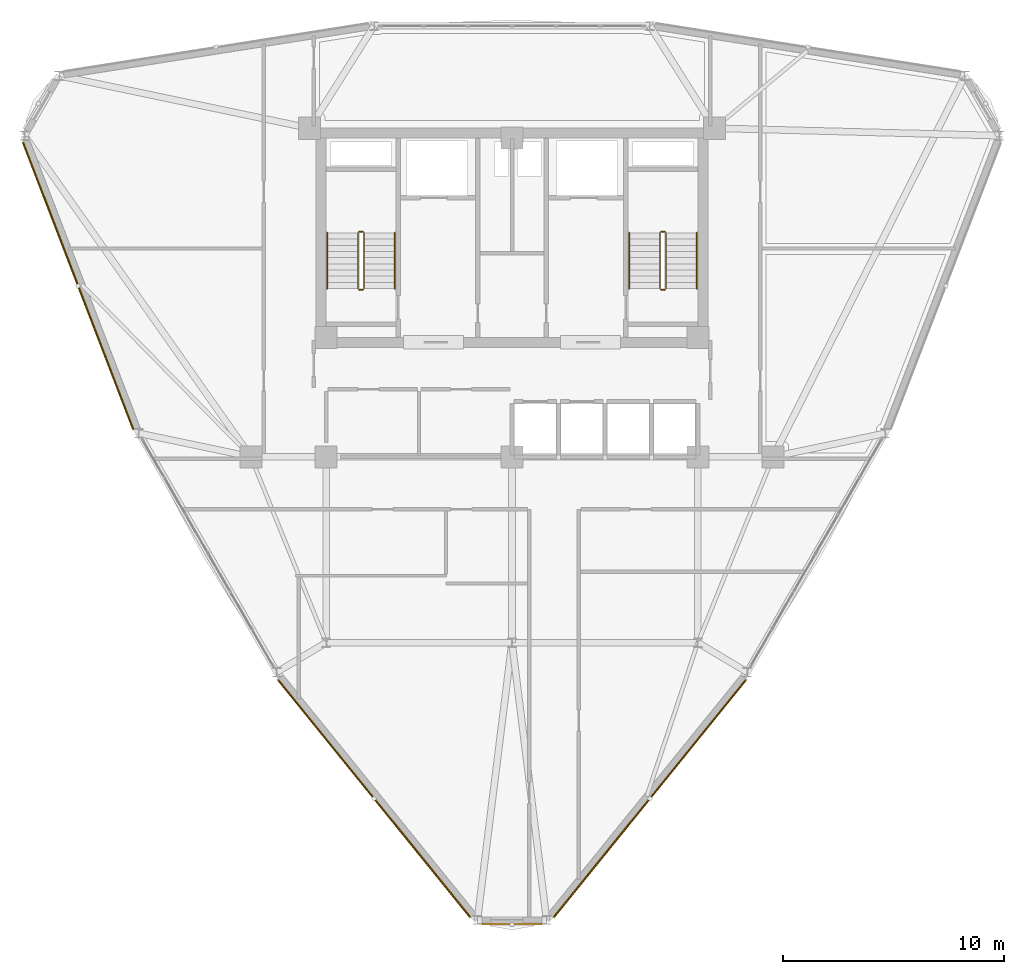
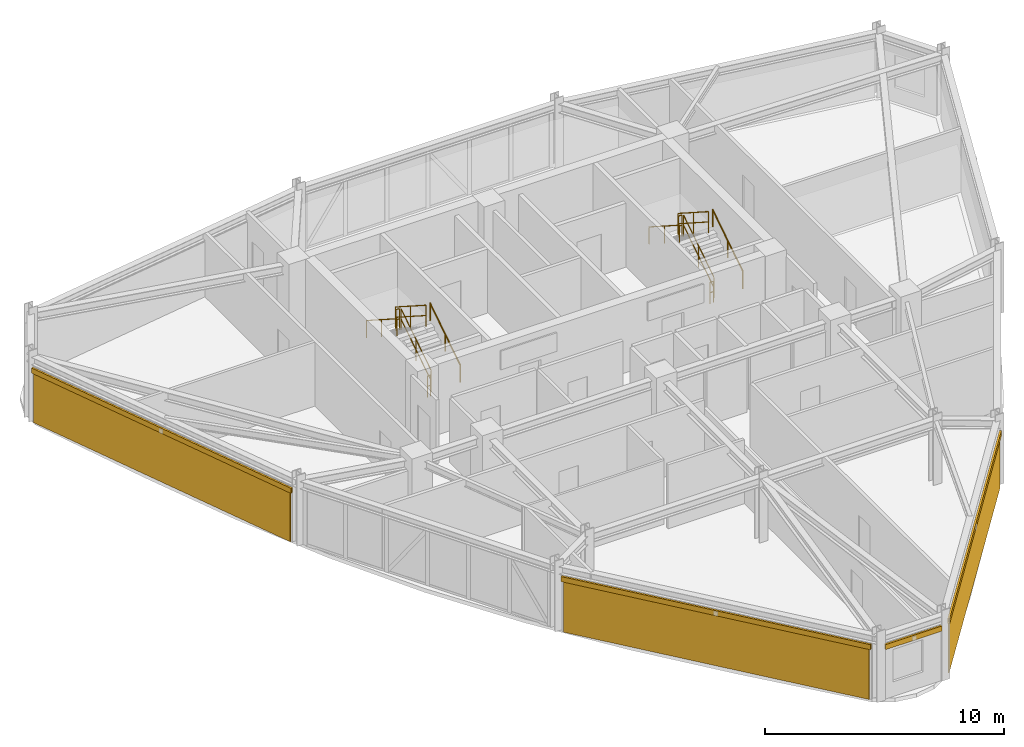
# One storey, part 13 of 14: 12 railings, 4 shading devices, 3 coverings.
"""IFC4 building model written with IfcOpenShell, lengths in metres."""

from ifc_helpers import new_model, si_unit, derived_unit, direction, frame, origin, origin_2d, place, context, subcontext, project, spatial, polyline, hollow_rectangle, circle, outline, extrude, source, transform, mapped, material, layer, layer_set, material_profile, profile_set, type_object, element, save


model = new_model("IFC4")

# Units and contexts
model_context = context("Model", 3, precision=1e-05, world=origin(), true_north=direction((0.0, 1.0)))
body_context = subcontext(model_context, "Body", "Model", "MODEL_VIEW")
ifc_project = project(units=[si_unit("LENGTHUNIT", "METRE"), si_unit("AREAUNIT", "SQUARE_METRE"), si_unit("VOLUMEUNIT", "CUBIC_METRE"), si_unit("PLANEANGLEUNIT", "RADIAN"), si_unit("MASSUNIT", "GRAM", prefix="KILO"), derived_unit("THERMALTRANSMITTANCEUNIT", [(si_unit("POWERUNIT", "WATT"), 1), (si_unit("LENGTHUNIT", "METRE"), -2), (si_unit("THERMODYNAMICTEMPERATUREUNIT", "KELVIN"), -1)])], contexts=[model_context])

# Site, building, storey
site_placement = place(None, origin())
site = spatial("IfcSite", under=ifc_project, at=site_placement, CompositionType="ELEMENT")
building_placement = place(site_placement, origin())
building = spatial("IfcBuilding", under=site, at=building_placement, Name="Korsvarv Bourse and Concert Hall", CompositionType="ELEMENT")
storey_placement = place(building_placement, frame((0.0, 0.0, 197.39990234375)))
storey = spatial("IfcBuildingStorey", under=building, at=storey_placement, Name="L51", CompositionType="ELEMENT", Elevation=197.39990234375)

# Coverings
ifc_material_1 = material(Name="Warm iron-oxide extruded terracotta rainscreen tile", Category="ceramic")
ifc_layer = layer(ifc_material_1, 0.044921875)
ifc_layer_set = layer_set([ifc_layer], Name="Warm iron-oxide extruded terracotta rainscreen tile")
covering_type = type_object("IfcCoveringType", Name="COV-CLD-TC", PredefinedType="CLADDING", material=ifc_layer_set)
covering_1_placement = place(storey_placement, origin())
element("IfcCovering", 1, at=covering_1_placement, inside=storey, type_object=covering_type, Name="L51 fluted terracotta cladding panel EW-L51-B06", PredefinedType="CLADDING", context=body_context, shape_type="SweptSolid", body=[
    extrude(outline(polyline([(13.954345703125, 46.576416015625), (18.901611328125, 33.701416015625), (18.859619140625, 33.685302734375), (13.912353515625, 46.560302734375), (13.954345703125, 46.576416015625)])), origin(), (0.0, 0.0, 1.0), 2.489990234375),
])
covering_2_placement = place(storey_placement, origin())
element("IfcCovering", 2, at=covering_2_placement, inside=storey, type_object=covering_type, Name="L51 fluted terracotta cladding panel EW-L51-B08", PredefinedType="CLADDING", context=body_context, shape_type="SweptSolid", body=[
    extrude(outline(polyline([(25.489013671875, 22.305908203125), (34.107666015625, 11.655517578125), (34.07275390625, 11.627197265625), (25.4541015625, 22.277587890625), (25.489013671875, 22.305908203125)])), origin(), (0.0, 0.0, 1.0), 2.550048828125),
])
covering_3_placement = place(storey_placement, origin())
element("IfcCovering", 3, at=covering_3_placement, inside=storey, type_object=covering_type, Name="L51 fluted terracotta cladding panel EW-L51-B10", PredefinedType="CLADDING", context=body_context, shape_type="SweptSolid", body=[
    extrude(outline(polyline([(37.892333984375, 11.655517578125), (46.510986328125, 22.305908203125), (46.5458984375, 22.277587890625), (37.92724609375, 11.627197265625), (37.892333984375, 11.655517578125)])), origin(), (0.0, 0.0, 1.0), 2.550048828125),
])

# Railings
ifc_material_2 = material(Name="Painted Steel S355 stair well guardrail", Category="steel")
railing_type_1 = type_object("IfcRailingType", Name="RL-ST-GRD", PredefinedType="GUARDRAIL", material=ifc_material_2)
railing_1_placement = place(storey_placement, frame((29.31005859375, 40.0, 0.18017578125)))
element("IfcRailing", 4, at=railing_1_placement, inside=storey, type_object=railing_type_1, Name="L51 ST-T1 stair guard 1", PredefinedType="GUARDRAIL", context=body_context, shape_type="SweptSolid", body=[
    extrude(circle(Radius=0.02392578125, at=origin_2d()), frame((0.0, 0.0, 1.076171875), z_axis=(0.0, 0.841199657755, 0.540724639528), x_axis=(-1.0, 0.0, 0.0)), (0.0, 0.0, 1.0), 2.995849609375),
    extrude(circle(Radius=0.02392578125, at=origin_2d()), frame((0.0, 0.0, 0.550048828125), z_axis=(0.0, 0.841199657755, 0.540724639528), x_axis=(-1.0, 0.0, 0.0)), (0.0, 0.0, 1.0), 2.995849609375),
    extrude(circle(Radius=0.02099609375, at=origin_2d()), origin(), (0.0, 0.0, 1.0), 1.052001953125),
    extrude(circle(Radius=0.02099609375, at=origin_2d()), frame((0.0, 1.260009765625, 0.81005859375)), (0.0, 0.0, 1.0), 1.052001953125),
    extrude(circle(Radius=0.02099609375, at=origin_2d()), frame((0.0, 2.52001953125, 1.619873046875)), (0.0, 0.0, 1.0), 1.052001953125),
])
railing_2_placement = place(storey_placement, frame((29.260009765625, 42.570068359375, 1.800048828125)))
element("IfcRailing", 5, at=railing_2_placement, inside=storey, type_object=railing_type_1, Name="L51 ST-T1 stair guard 2", PredefinedType="GUARDRAIL", context=body_context, shape_type="SweptSolid", body=[
    extrude(circle(Radius=0.02392578125, at=origin_2d()), frame((0.0, 0.0, 1.076171875), z_axis=(-1.0, 0.0, 0.0), x_axis=(0.0, -1.0, 0.0)), (0.0, 0.0, 1.0), 0.159912109375),
    extrude(circle(Radius=0.02392578125, at=origin_2d()), frame((0.0, 0.0, 0.550048828125), z_axis=(-1.0, 0.0, 0.0), x_axis=(0.0, -1.0, 0.0)), (0.0, 0.0, 1.0), 0.159912109375),
    extrude(circle(Radius=0.02099609375, at=origin_2d()), origin(), (0.0, 0.0, 1.0), 1.052001953125),
    extrude(circle(Radius=0.02099609375, at=origin_2d()), frame((-0.159912109375, 0.0, 0.0)), (0.0, 0.0, 1.0), 1.052001953125),
])
railing_3_placement = place(storey_placement, frame((29.050048828125, 42.52001953125, 1.97998046875)))
element("IfcRailing", 6, at=railing_3_placement, inside=storey, type_object=railing_type_1, Name="L51 ST-T1 stair guard 3", PredefinedType="GUARDRAIL", context=body_context, shape_type="SweptSolid", body=[
    extrude(circle(Radius=0.02392578125, at=origin_2d()), frame((0.0, 0.0, 1.076171875), z_axis=(0.0, -0.841162588446, 0.540782303519), x_axis=(1.0, 0.0, 0.0)), (0.0, 0.0, 1.0), 2.995849609375),
    extrude(circle(Radius=0.02392578125, at=origin_2d()), frame((0.0, 0.0, 0.550048828125), z_axis=(0.0, -0.841162588446, 0.540782303519), x_axis=(1.0, 0.0, 0.0)), (0.0, 0.0, 1.0), 2.995849609375),
    extrude(circle(Radius=0.02099609375, at=origin_2d()), origin(), (0.0, 0.0, 1.0), 1.052001953125),
    extrude(circle(Radius=0.02099609375, at=origin_2d()), frame((0.0, -1.260009765625, 0.81005859375)), (0.0, 0.0, 1.0), 1.052001953125),
    extrude(circle(Radius=0.02099609375, at=origin_2d()), frame((0.0, -2.52001953125, 1.6201171875)), (0.0, 0.0, 1.0), 1.052001953125),
])
railing_4_placement = place(storey_placement, frame((29.260009765625, 39.949951171875, 0.0)))
element("IfcRailing", 7, at=railing_4_placement, inside=storey, type_object=railing_type_1, Name="L51 ST-T1 stair guard 4", PredefinedType="GUARDRAIL", context=body_context, shape_type="SweptSolid", body=[
    extrude(circle(Radius=0.02392578125, at=origin_2d()), frame((0.0, 0.0, 1.076171875), z_axis=(-1.0, 0.0, 0.0), x_axis=(0.0, -1.0, 0.0)), (0.0, 0.0, 1.0), 0.159912109375),
    extrude(circle(Radius=0.02392578125, at=origin_2d()), frame((0.0, 0.0, 0.550048828125), z_axis=(-1.0, 0.0, 0.0), x_axis=(0.0, -1.0, 0.0)), (0.0, 0.0, 1.0), 0.159912109375),
    extrude(circle(Radius=0.02099609375, at=origin_2d()), origin(), (0.0, 0.0, 1.0), 1.052001953125),
    extrude(circle(Radius=0.02099609375, at=origin_2d()), frame((-0.159912109375, 0.0, 0.0)), (0.0, 0.0, 1.0), 1.052001953125),
])
railing_5_placement = place(storey_placement, frame((42.949951171875, 40.0, 0.18017578125)))
element("IfcRailing", 8, at=railing_5_placement, inside=storey, type_object=railing_type_1, Name="L51 ST-T2 stair guard 1", PredefinedType="GUARDRAIL", context=body_context, shape_type="SweptSolid", body=[
    extrude(circle(Radius=0.02392578125, at=origin_2d()), frame((0.0, 0.0, 1.076171875), z_axis=(0.0, 0.841199657755, 0.540724639528), x_axis=(-1.0, 0.0, 0.0)), (0.0, 0.0, 1.0), 2.995849609375),
    extrude(circle(Radius=0.02392578125, at=origin_2d()), frame((0.0, 0.0, 0.550048828125), z_axis=(0.0, 0.841199657755, 0.540724639528), x_axis=(-1.0, 0.0, 0.0)), (0.0, 0.0, 1.0), 2.995849609375),
    extrude(circle(Radius=0.02099609375, at=origin_2d()), origin(), (0.0, 0.0, 1.0), 1.052001953125),
    extrude(circle(Radius=0.02099609375, at=origin_2d()), frame((0.0, 1.260009765625, 0.81005859375)), (0.0, 0.0, 1.0), 1.052001953125),
    extrude(circle(Radius=0.02099609375, at=origin_2d()), frame((0.0, 2.52001953125, 1.619873046875)), (0.0, 0.0, 1.0), 1.052001953125),
])
railing_6_placement = place(storey_placement, frame((42.89990234375, 42.570068359375, 1.800048828125)))
element("IfcRailing", 9, at=railing_6_placement, inside=storey, type_object=railing_type_1, Name="L51 ST-T2 stair guard 2", PredefinedType="GUARDRAIL", context=body_context, shape_type="SweptSolid", body=[
    extrude(circle(Radius=0.02392578125, at=origin_2d()), frame((0.0, 0.0, 1.076171875), z_axis=(-1.0, 0.0, 0.0), x_axis=(0.0, -1.0, 0.0)), (0.0, 0.0, 1.0), 0.159912109375),
    extrude(circle(Radius=0.02392578125, at=origin_2d()), frame((0.0, 0.0, 0.550048828125), z_axis=(-1.0, 0.0, 0.0), x_axis=(0.0, -1.0, 0.0)), (0.0, 0.0, 1.0), 0.159912109375),
    extrude(circle(Radius=0.02099609375, at=origin_2d()), origin(), (0.0, 0.0, 1.0), 1.052001953125),
    extrude(circle(Radius=0.02099609375, at=origin_2d()), frame((-0.159912109375, 0.0, 0.0)), (0.0, 0.0, 1.0), 1.052001953125),
])
railing_7_placement = place(storey_placement, frame((42.68994140625, 42.52001953125, 1.97998046875)))
element("IfcRailing", 10, at=railing_7_placement, inside=storey, type_object=railing_type_1, Name="L51 ST-T2 stair guard 3", PredefinedType="GUARDRAIL", context=body_context, shape_type="SweptSolid", body=[
    extrude(circle(Radius=0.02392578125, at=origin_2d()), frame((0.0, 0.0, 1.076171875), z_axis=(0.0, -0.841162588446, 0.540782303519), x_axis=(1.0, 0.0, 0.0)), (0.0, 0.0, 1.0), 2.995849609375),
    extrude(circle(Radius=0.02392578125, at=origin_2d()), frame((0.0, 0.0, 0.550048828125), z_axis=(0.0, -0.841162588446, 0.540782303519), x_axis=(1.0, 0.0, 0.0)), (0.0, 0.0, 1.0), 2.995849609375),
    extrude(circle(Radius=0.02099609375, at=origin_2d()), origin(), (0.0, 0.0, 1.0), 1.052001953125),
    extrude(circle(Radius=0.02099609375, at=origin_2d()), frame((0.0, -1.260009765625, 0.81005859375)), (0.0, 0.0, 1.0), 1.052001953125),
    extrude(circle(Radius=0.02099609375, at=origin_2d()), frame((0.0, -2.52001953125, 1.6201171875)), (0.0, 0.0, 1.0), 1.052001953125),
])
railing_8_placement = place(storey_placement, frame((42.89990234375, 39.949951171875, 0.0)))
element("IfcRailing", 11, at=railing_8_placement, inside=storey, type_object=railing_type_1, Name="L51 ST-T2 stair guard 4", PredefinedType="GUARDRAIL", context=body_context, shape_type="SweptSolid", body=[
    extrude(circle(Radius=0.02392578125, at=origin_2d()), frame((0.0, 0.0, 1.076171875), z_axis=(-1.0, 0.0, 0.0), x_axis=(0.0, -1.0, 0.0)), (0.0, 0.0, 1.0), 0.159912109375),
    extrude(circle(Radius=0.02392578125, at=origin_2d()), frame((0.0, 0.0, 0.550048828125), z_axis=(-1.0, 0.0, 0.0), x_axis=(0.0, -1.0, 0.0)), (0.0, 0.0, 1.0), 0.159912109375),
    extrude(circle(Radius=0.02099609375, at=origin_2d()), origin(), (0.0, 0.0, 1.0), 1.052001953125),
    extrude(circle(Radius=0.02099609375, at=origin_2d()), frame((-0.159912109375, 0.0, 0.0)), (0.0, 0.0, 1.0), 1.052001953125),
])
ifc_material_3 = material(Name="Brushed stainless Steel S355 tubular handrail", Category="steel")
railing_type_2 = type_object("IfcRailingType", Name="RL-ST-HND", PredefinedType="HANDRAIL", material=ifc_material_3)
railing_9_placement = place(storey_placement, frame((30.7099609375, 40.0, 0.18017578125)))
element("IfcRailing", 12, at=railing_9_placement, inside=storey, type_object=railing_type_2, Name="L51 ST-T1 stair handrail 1", PredefinedType="HANDRAIL", context=body_context, shape_type="SweptSolid", body=[
    extrude(circle(Radius=0.02392578125, at=origin_2d()), frame((0.0, 0.0, 0.8759765625), z_axis=(0.0, 0.841199657755, 0.540724639528), x_axis=(-1.0, 0.0, 0.0)), (0.0, 0.0, 1.0), 2.995849609375),
    extrude(circle(Radius=0.02099609375, at=origin_2d()), origin(), (0.0, 0.0, 1.0), 0.851806640625),
    extrude(circle(Radius=0.02099609375, at=origin_2d()), frame((0.0, 1.260009765625, 0.81005859375)), (0.0, 0.0, 1.0), 0.851806640625),
    extrude(circle(Radius=0.02099609375, at=origin_2d()), frame((0.0, 2.52001953125, 1.619873046875)), (0.0, 0.0, 1.0), 0.851806640625),
])
railing_10_placement = place(storey_placement, frame((27.64990234375, 42.52001953125, 1.97998046875)))
element("IfcRailing", 13, at=railing_10_placement, inside=storey, type_object=railing_type_2, Name="L51 ST-T1 stair handrail 2", PredefinedType="HANDRAIL", context=body_context, shape_type="SweptSolid", body=[
    extrude(circle(Radius=0.02392578125, at=origin_2d()), frame((0.0, 0.0, 0.8759765625), z_axis=(0.0, -0.841162588446, 0.540782303519), x_axis=(1.0, 0.0, 0.0)), (0.0, 0.0, 1.0), 2.995849609375),
    extrude(circle(Radius=0.02099609375, at=origin_2d()), origin(), (0.0, 0.0, 1.0), 0.851806640625),
    extrude(circle(Radius=0.02099609375, at=origin_2d()), frame((0.0, -1.260009765625, 0.81005859375)), (0.0, 0.0, 1.0), 0.851806640625),
    extrude(circle(Radius=0.02099609375, at=origin_2d()), frame((0.0, -2.52001953125, 1.6201171875)), (0.0, 0.0, 1.0), 0.851806640625),
])
railing_11_placement = place(storey_placement, frame((44.35009765625, 40.0, 0.18017578125)))
element("IfcRailing", 14, at=railing_11_placement, inside=storey, type_object=railing_type_2, Name="L51 ST-T2 stair handrail 1", PredefinedType="HANDRAIL", context=body_context, shape_type="SweptSolid", body=[
    extrude(circle(Radius=0.02392578125, at=origin_2d()), frame((0.0, 0.0, 0.8759765625), z_axis=(0.0, 0.841199657755, 0.540724639528), x_axis=(-1.0, 0.0, 0.0)), (0.0, 0.0, 1.0), 2.995849609375),
    extrude(circle(Radius=0.02099609375, at=origin_2d()), origin(), (0.0, 0.0, 1.0), 0.851806640625),
    extrude(circle(Radius=0.02099609375, at=origin_2d()), frame((0.0, 1.260009765625, 0.81005859375)), (0.0, 0.0, 1.0), 0.851806640625),
    extrude(circle(Radius=0.02099609375, at=origin_2d()), frame((0.0, 2.52001953125, 1.619873046875)), (0.0, 0.0, 1.0), 0.851806640625),
])
railing_12_placement = place(storey_placement, frame((41.2900390625, 42.52001953125, 1.97998046875)))
element("IfcRailing", 15, at=railing_12_placement, inside=storey, type_object=railing_type_2, Name="L51 ST-T2 stair handrail 2", PredefinedType="HANDRAIL", context=body_context, shape_type="SweptSolid", body=[
    extrude(circle(Radius=0.02392578125, at=origin_2d()), frame((0.0, 0.0, 0.8759765625), z_axis=(0.0, -0.841162588446, 0.540782303519), x_axis=(1.0, 0.0, 0.0)), (0.0, 0.0, 1.0), 2.995849609375),
    extrude(circle(Radius=0.02099609375, at=origin_2d()), origin(), (0.0, 0.0, 1.0), 0.851806640625),
    extrude(circle(Radius=0.02099609375, at=origin_2d()), frame((0.0, -1.260009765625, 0.81005859375)), (0.0, 0.0, 1.0), 0.851806640625),
    extrude(circle(Radius=0.02099609375, at=origin_2d()), frame((0.0, -2.52001953125, 1.6201171875)), (0.0, 0.0, 1.0), 0.851806640625),
])

# Shading devices
ifc_material_4 = material(Name="Glazed extruded architectural terracotta", Category="ceramic")
ifc_material_profile = material_profile(ifc_material_4, hollow_rectangle(XDim=0.090087890625, YDim=0.260009765625, WallThickness=0.011962890625, at=origin_2d()), Name="TC-BAG 90x260")
ifc_profile_set = profile_set([ifc_material_profile], Name="Glazed extruded architectural terracotta")
shading_device_type = type_object("IfcShadingDeviceType", Name="SHD-BAG-1", PredefinedType="USERDEFINED", material=ifc_profile_set)
shared_shape_1 = source(origin(), body_context, "Body", "SweptSolid", [
    extrude(hollow_rectangle(XDim=0.090087890625, YDim=0.260009765625, WallThickness=0.011962890625, at=origin_2d()), origin(), (0.0, 0.0, 1.0), 13.952880859375),
])
shading_device_1_placement = place(storey_placement, frame((13.88818359375, 46.63671875, 2.650146484375), z_axis=(0.358682414456, -0.933459653954, 0.0), x_axis=(0.933459653954, 0.358682414456, 0.0)))
element("IfcShadingDevice", 16, at=shading_device_1_placement, inside=storey, type_object=shading_device_type, Name="L51 terracotta baguette sunshade EW-L51-B06", ObjectType="BAGUETTE", PredefinedType="USERDEFINED", context=body_context, shape_type="MappedRepresentation", body=[
    mapped(shared_shape_1, transform((0.0, 0.0, 0.0), scale=1.0)),
])
shared_shape_2 = source(origin(), body_context, "Body", "SweptSolid", [
    extrude(hollow_rectangle(XDim=0.090087890625, YDim=0.260009765625, WallThickness=0.011962890625, at=origin_2d()), origin(), (0.0, 0.0, 1.0), 13.86083984375),
])
for number, where, z_axis, x_axis, name in (
    (17, (25.40771484375, 22.343017578125, 2.710205078125), (0.62905431668, -0.777361348837, 0.0), (0.777361348837, 0.62905431668, 0.0), "L51 terracotta baguette sunshade EW-L51-B08"),
    (18, (37.873046875, 11.568115234375, 2.710205078125), (0.62905431668, 0.777361348837, 0.0), (-0.777361348837, 0.62905431668, 0.0), "L51 terracotta baguette sunshade EW-L51-B10"),
):
    element("IfcShadingDevice", number, at=place(storey_placement, frame(where, z_axis=z_axis, x_axis=x_axis)), inside=storey, type_object=shading_device_type, Name=name, ObjectType="BAGUETTE", PredefinedType="USERDEFINED", context=body_context, shape_type="MappedRepresentation", body=[
        mapped(shared_shape_2, transform((0.0, 0.0, 0.0), scale=1.0)),
    ])
shared_shape_3 = source(origin(), body_context, "Body", "SweptSolid", [
    extrude(hollow_rectangle(XDim=0.090087890625, YDim=0.260009765625, WallThickness=0.011962890625, at=origin_2d()), origin(), (0.0, 0.0, 1.0), 2.71337890625),
])
shading_device_2_placement = place(storey_placement, frame((34.643310546875, 11.280029296875, 2.710205078125), z_axis=(1.0, 0.0, 0.0), x_axis=(0.0, 1.0, 0.0)))
element("IfcShadingDevice", 19, at=shading_device_2_placement, inside=storey, type_object=shading_device_type, Name="L51 terracotta baguette sunshade EW-L51-B09", ObjectType="BAGUETTE", PredefinedType="USERDEFINED", context=body_context, shape_type="MappedRepresentation", body=[
    mapped(shared_shape_3, transform((0.0, 0.0, 0.0), scale=1.0)),
])

save(model, "model.ifc")
